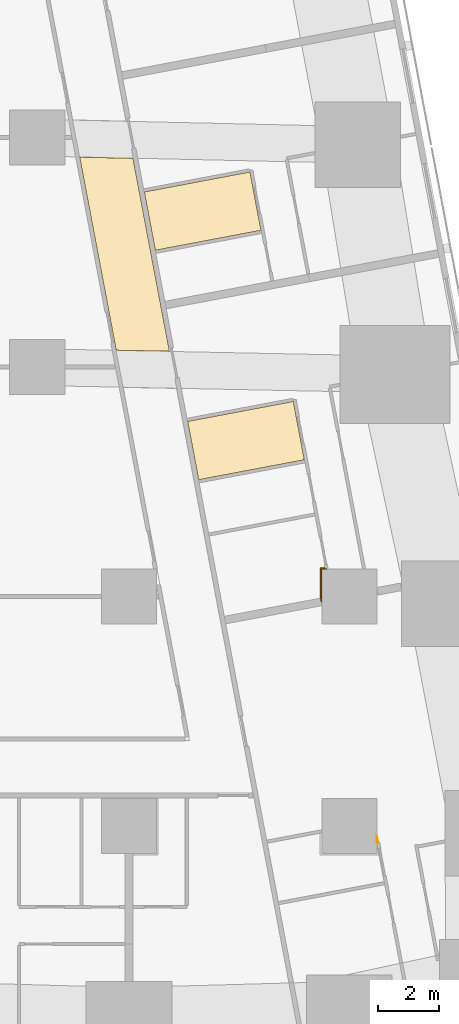
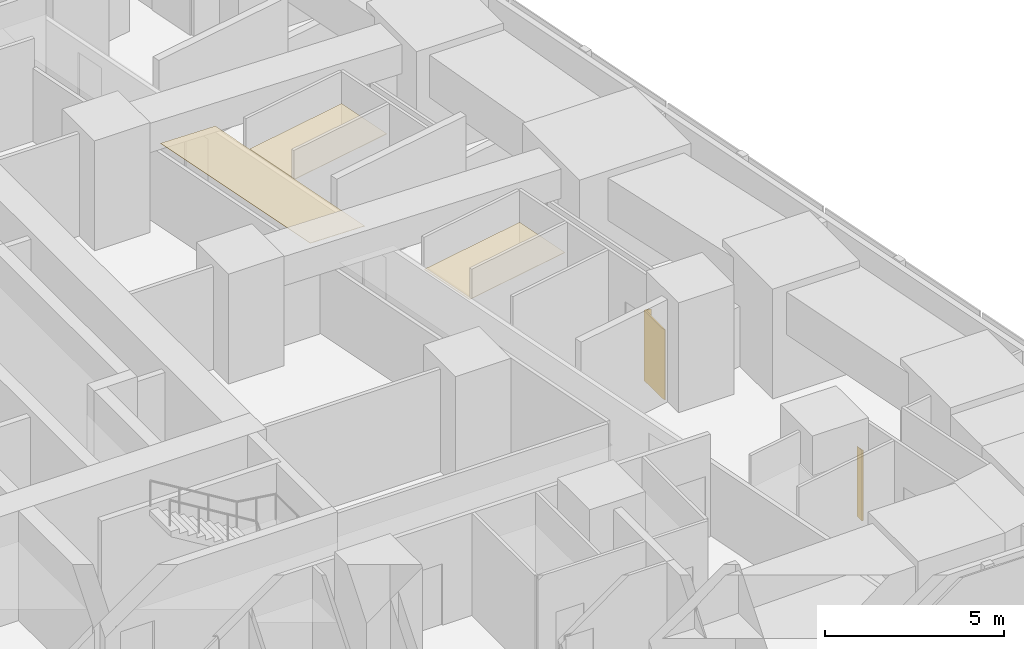
# One storey, part 14 of 15: 5 coverings.
"""IFC4 building model written with IfcOpenShell, lengths in metres."""

from ifc_helpers import new_model, si_unit, direction, frame, origin, place, context, subcontext, project, spatial, polyline, outline, extrude, material, layer, layer_set, type_object, element, save


model = new_model("IFC4")

# Units and contexts
model_context = context("Model", 3, precision=1e-05, world=origin(), true_north=direction((0.0, 1.0)))
body_context = subcontext(model_context, "Body", "Model", "MODEL_VIEW")
ifc_project = project(units=[si_unit("LENGTHUNIT", "METRE"), si_unit("AREAUNIT", "SQUARE_METRE"), si_unit("VOLUMEUNIT", "CUBIC_METRE"), si_unit("PLANEANGLEUNIT", "RADIAN"), si_unit("MASSUNIT", "GRAM", prefix="KILO")], contexts=[model_context])

# Site, building, storey
site_placement = place(None, origin())
site = spatial("IfcSite", under=ifc_project, at=site_placement, CompositionType="ELEMENT")
building_placement = place(site_placement, origin())
building = spatial("IfcBuilding", under=site, at=building_placement, Name="Sheger Commons Tower", CompositionType="ELEMENT")
storey_placement = place(building_placement, frame((0.0, 0.0, 50.0)))
storey = spatial("IfcBuildingStorey", under=building, at=storey_placement, Name="L12", CompositionType="ELEMENT", Elevation=50.0)

# Coverings
ifc_material_1 = material(Name="Moisture-resistant gypsum plasterboard 15 mm on a suspended galvanised steel grid", Category="steel")
ifc_layer_1 = layer(ifc_material_1, 0.014892578125)
ifc_layer_set_1 = layer_set([ifc_layer_1], Name="MOISTURE-RESISTANT CEILING 15")
covering_type_1 = type_object("IfcCoveringType", Name="MOISTURE-RESISTANT CEILING 15", PredefinedType="CEILING", material=ifc_layer_set_1)
covering_1_placement = place(storey_placement, frame((0.0, 0.0, 2.39990234375)))
element("IfcCovering", 1, at=covering_1_placement, inside=storey, type_object=covering_type_1, Name="L12-11.B1 ceiling", PredefinedType="CEILING", context=body_context, shape_type="SweptSolid", body=[
    extrude(outline(polyline([(36.860107421875, 26.319091796875), (40.31298828125, 26.970947265625), (39.952880859375, 28.8779296875), (36.5, 28.22509765625), (36.860107421875, 26.319091796875)])), origin(), (0.0, 0.0, 1.0), 0.01513671875),
])
covering_2_placement = place(storey_placement, frame((0.0, 0.0, 2.39990234375)))
element("IfcCovering", 2, at=covering_2_placement, inside=storey, type_object=covering_type_1, Name="L12-12.B1 ceiling", PredefinedType="CEILING", context=body_context, shape_type="SweptSolid", body=[
    extrude(outline(polyline([(38.277099609375, 18.819091796875), (41.72998046875, 19.470947265625), (41.3701171875, 21.3779296875), (37.9169921875, 20.72607421875), (38.277099609375, 18.819091796875)])), origin(), (0.0, 0.0, 1.0), 0.01513671875),
])
ifc_material_2 = material(Name="Gypsum plasterboard 15 mm on a suspended steel grid", Category="steel")
ifc_layer_2 = layer(ifc_material_2, 0.014892578125)
ifc_layer_set_2 = layer_set([ifc_layer_2], Name="SUSPENDED CEILING 15")
covering_type_2 = type_object("IfcCoveringType", Name="SUSPENDED CEILING 15", PredefinedType="CEILING", material=ifc_layer_set_2)
covering_3_placement = place(storey_placement, frame((0.0, 0.0, 2.699951171875)))
element("IfcCovering", 3, at=covering_3_placement, inside=storey, type_object=covering_type_2, Name="L12-CO ceiling", PredefinedType="CEILING", context=body_context, shape_type="SweptSolid", body=[
    extrude(outline(polyline([(37.321044921875, 23.01806640625), (36.1298828125, 29.323974609375), (34.388916015625, 29.363037109375), (35.5810546875, 23.052978515625), (37.321044921875, 23.01806640625)])), origin(), (0.0, 0.0, 1.0), 0.01513671875),
])
ifc_material_3 = material(Name="Moisture-resistant gypsum board 12.5 mm on 25 mm treated timber battens, tanked and tiled", Category="wood")
ifc_layer_3 = layer(ifc_material_3, 0.050048828125)
ifc_layer_set_3 = layer_set([ifc_layer_3], Name="WET-ROOM COLUMN LINING")
covering_type_3 = type_object("IfcCoveringType", Name="WET-ROOM COLUMN LINING", PredefinedType="CLADDING", material=ifc_layer_set_3)
covering_4_placement = place(storey_placement, origin())
element("IfcCovering", 4, at=covering_4_placement, inside=storey, type_object=covering_type_3, Name="Bathroom column lining C8 L12", PredefinedType="CLADDING", context=body_context, shape_type="SweptSolid", body=[
    extrude(outline(polyline([(44.10009765625, 7.221923828125), (44.14990234375, 6.9599609375), (44.10009765625, 6.950927734375), (44.10009765625, 7.221923828125)])), origin(), (0.0, 0.0, 1.0), 2.39990234375),
])
covering_5_placement = place(storey_placement, origin())
element("IfcCovering", 5, at=covering_5_placement, inside=storey, type_object=covering_type_3, Name="Store and laundry column lining C8 L12", PredefinedType="CLADDING", context=body_context, shape_type="SweptSolid", body=[
    extrude(outline(polyline([(42.40087890625, 15.949951171875), (42.409912109375, 15.90087890625), (42.458984375, 15.909912109375), (42.4609375, 15.89990234375), (42.300048828125, 15.89990234375), (42.300048828125, 14.830078125), (42.27587890625, 14.824951171875), (42.2529296875, 14.947998046875), (42.25, 14.947021484375), (42.25, 15.949951171875), (42.40087890625, 15.949951171875)])), origin(), (0.0, 0.0, 1.0), 2.39990234375),
])

save(model, "model.ifc")
